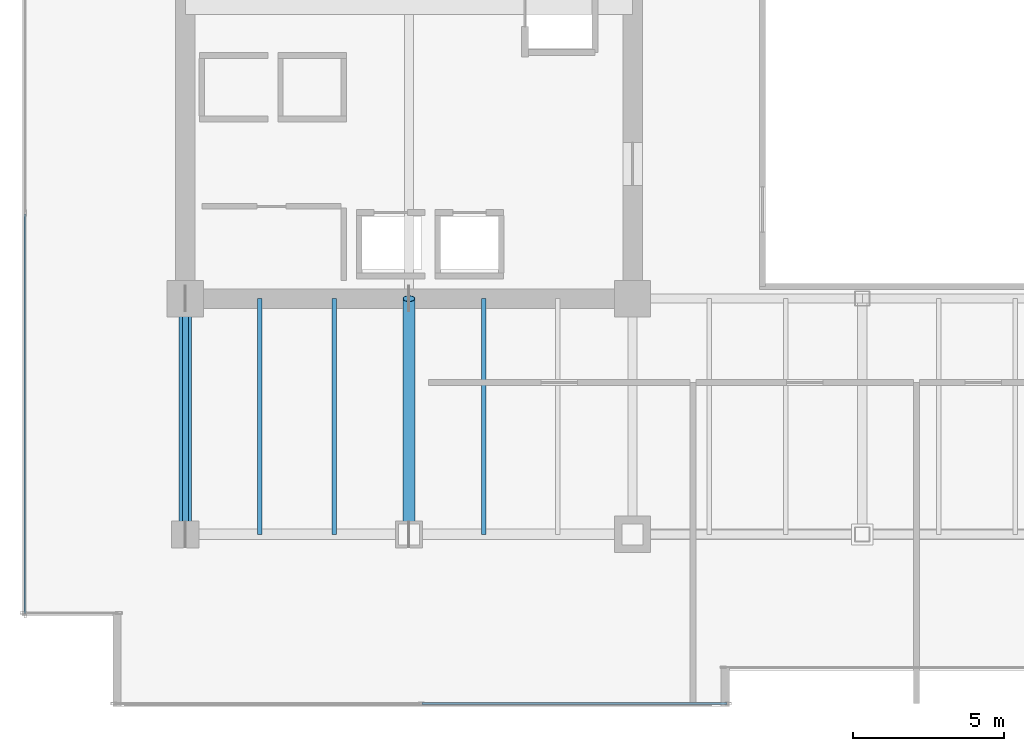
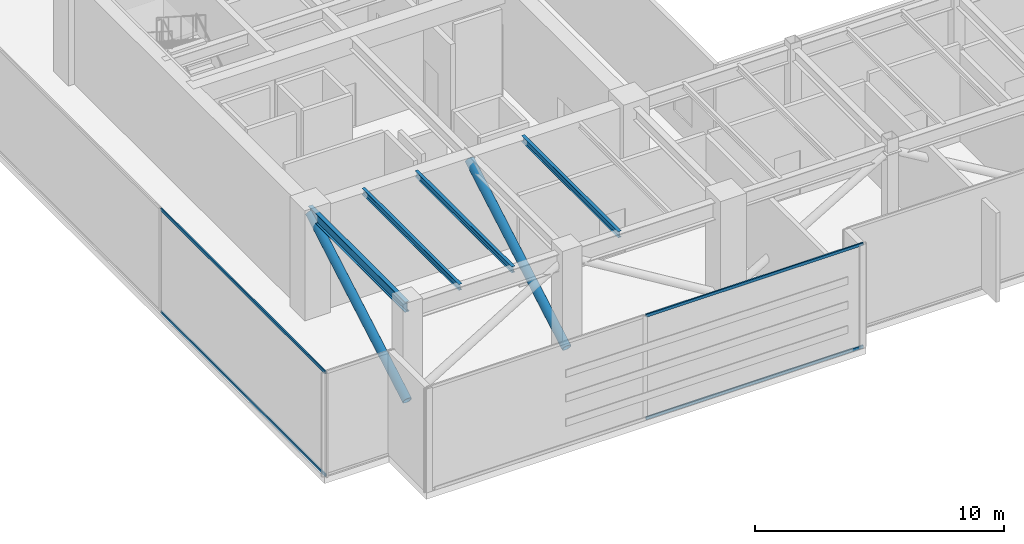
# One storey, part 3 of 34: 6 members, 4 beams, 2 elements without a shape of their own.
"""IFC4 building model written with IfcOpenShell, lengths in metres."""

import ifcopenshell
import ifcopenshell.guid

model = None  # the IFC model being written
_history = None  # IfcOwnerHistory: only IFC2X3 demands one
_inside = {}  # id of a spatial element -> (the spatial element, [elements in it])
_under = {}  # id of a project, library or spatial element -> (it, [spatial elements below it])
_declared = {}  # id of a project -> (the project, [libraries it declares])
_typed = {}  # id of a type object -> (the type object, [elements of that type])
_made_of = {}  # id of a material, layer set ... -> (it, [elements and type objects made of it])


def new_model(schema):
    """Start an empty IFC model of exactly this schema.

    Asked for "IFC4X3", IfcOpenShell would pick the latest addendum, in which some entities
    have other attributes; the version numbers below select the first issue.
    IFC2X3 requires an IfcOwnerHistory on every rooted entity: one is made here for all.
    """
    global model, _history
    if schema == "IFC4X3":
        model = ifcopenshell.file(schema_version=(4, 3, 0, 0))
    else:
        model = ifcopenshell.file(schema=schema)
    _inside.clear()
    _under.clear()
    _declared.clear()
    _typed.clear()
    _made_of.clear()
    _history = None
    if model.schema == "IFC2X3":
        org = make("IfcOrganization", Name="unknown")
        user = make(
            "IfcPersonAndOrganization",
            ThePerson=make("IfcPerson", FamilyName="unknown"),
            TheOrganization=org,
        )
        app = make(
            "IfcApplication",
            ApplicationDeveloper=org,
            Version="unknown",
            ApplicationFullName="unknown",
            ApplicationIdentifier="unknown",
        )
        _history = make(
            "IfcOwnerHistory",
            OwningUser=user,
            OwningApplication=app,
            ChangeAction="ADDED",
            CreationDate=0,
        )
    return model


def make(cls, **values):
    """One entity of the class cls with the attributes given. An attribute that is None is left unset."""
    return model.create_entity(
        cls, **{name: value for name, value in values.items() if value is not None}
    )


def rooted(cls, **values):
    """An entity with a GlobalId (a new one), such as an element, a storey or a relation."""
    return make(cls, GlobalId=ifcopenshell.guid.new(), OwnerHistory=_history, **values)


def si_unit(unit_type, name, prefix=None):
    """IfcSIUnit, for example si_unit("LENGTHUNIT", "METRE", prefix="MILLI")."""
    return make("IfcSIUnit", UnitType=unit_type, Prefix=prefix, Name=name)


def assignment(units):
    """IfcUnitAssignment: the units of a project."""
    return None if units is None else make("IfcUnitAssignment", Units=units)


def point(xyz):
    """IfcCartesianPoint."""
    return None if xyz is None else make("IfcCartesianPoint", Coordinates=xyz)


def direction(xyz):
    """IfcDirection."""
    return None if xyz is None else make("IfcDirection", DirectionRatios=xyz)


def frame(location, z_axis=None, x_axis=None):
    """IfcAxis2Placement3D, a coordinate frame: its origin and axes. An axis left out is left unset."""
    return make(
        "IfcAxis2Placement3D",
        Location=point(location),
        Axis=direction(z_axis),
        RefDirection=direction(x_axis),
    )


def frame_2d(location, x_axis=None):
    """IfcAxis2Placement2D, a coordinate frame in the plane: its origin and x axis."""
    return make(
        "IfcAxis2Placement2D", Location=point(location), RefDirection=direction(x_axis)
    )


def origin():
    """The frame at (0, 0, 0) with its axes left unset."""
    return frame((0.0, 0.0, 0.0))


def origin_2d():
    """The frame at (0, 0) in the plane with its x axis left unset."""
    return frame_2d((0.0, 0.0))


def place(relative_to, where):
    """IfcLocalPlacement: puts the frame where relative to a parent placement (None: the world)."""
    return make(
        "IfcLocalPlacement", PlacementRelTo=relative_to, RelativePlacement=where
    )


def context(
    kind, dimensions, precision=None, world=None, true_north=None, identifier=None
):
    """IfcGeometricRepresentationContext, for example the 3D "Model" context."""
    return make(
        "IfcGeometricRepresentationContext",
        ContextIdentifier=identifier,
        ContextType=kind,
        CoordinateSpaceDimension=dimensions,
        Precision=precision,
        WorldCoordinateSystem=world,
        TrueNorth=true_north,
    )


def subcontext(parent, identifier, kind, view, scale=None):
    """IfcGeometricRepresentationSubContext, for example "Body" below "Model"."""
    return make(
        "IfcGeometricRepresentationSubContext",
        ContextIdentifier=identifier,
        ContextType=kind,
        ParentContext=parent,
        TargetScale=scale,
        TargetView=view,
    )


def project(units=None, contexts=None):
    """IfcProject with its units and contexts."""
    return rooted(
        "IfcProject",
        Name="project",
        RepresentationContexts=contexts,
        UnitsInContext=assignment(units),
    )


def spatial(cls, under=None, at=None, **own):
    """A site, building, storey or space (cls), placed at a placement, below another one or the project."""
    s = rooted(cls, ObjectPlacement=at, **own)
    if under is not None:
        _under.setdefault(under.id(), (under, []))[1].append(s)
    return s


def profile(cls, at=None, kind="AREA", **sizes):
    """A parametric profile (cls). Its sizes go by their IFC names, for example OverallWidth=200.0."""
    return make(cls, ProfileType=kind, Position=at, **sizes)


def hollow_rectangle(**sizes):
    """IfcRectangleHollowProfileDef."""
    return profile("IfcRectangleHollowProfileDef", **sizes)


def hollow_circle(**sizes):
    """IfcCircleHollowProfileDef."""
    return profile("IfcCircleHollowProfileDef", **sizes)


def i_section(**sizes):
    """IfcIShapeProfileDef."""
    return profile("IfcIShapeProfileDef", **sizes)


def extrude(swept, where, along, depth):
    """IfcExtrudedAreaSolid: the profile swept, set in the frame where, extruded along a direction by depth."""
    return make(
        "IfcExtrudedAreaSolid",
        SweptArea=swept,
        Position=where,
        ExtrudedDirection=direction(along),
        Depth=depth,
    )


def shape(context_of_items, identifier, shape_type, items):
    """IfcShapeRepresentation: the items that make up one representation, for example the "Body"."""
    return make(
        "IfcShapeRepresentation",
        ContextOfItems=context_of_items,
        RepresentationIdentifier=identifier,
        RepresentationType=shape_type,
        Items=items,
    )


def source(mapping_origin, context_of_items, identifier, shape_type, items):
    """IfcRepresentationMap: a shape defined once, which mapped items show again and again."""
    return make(
        "IfcRepresentationMap",
        MappingOrigin=mapping_origin,
        MappedRepresentation=shape(context_of_items, identifier, shape_type, items),
    )


def transform(
    local_origin,
    x_axis=None,
    y_axis=None,
    z_axis=None,
    scale=None,
    scale2=None,
    scale3=None,
    uniform=True,
):
    """IfcCartesianTransformationOperator3D, or its non-uniform kind. x_axis, y_axis, z_axis: its Axis1, 2, 3."""
    if uniform:
        return make(
            "IfcCartesianTransformationOperator3D",
            Axis1=direction(x_axis),
            Axis2=direction(y_axis),
            LocalOrigin=point(local_origin),
            Scale=scale,
            Axis3=direction(z_axis),
        )
    return make(
        "IfcCartesianTransformationOperator3DnonUniform",
        Axis1=direction(x_axis),
        Axis2=direction(y_axis),
        LocalOrigin=point(local_origin),
        Scale=scale,
        Axis3=direction(z_axis),
        Scale2=scale2,
        Scale3=scale3,
    )


def mapped(mapping_source, mapping_target):
    """IfcMappedItem: shows the shape of a source again, moved by a transform."""
    return make(
        "IfcMappedItem", MappingSource=mapping_source, MappingTarget=mapping_target
    )


def material(Name=None, Category=None):
    """IfcMaterial."""
    return make("IfcMaterial", Name=Name, Category=Category)


def layer(
    of_material, thickness, ventilated=None, Name=None, Category=None, Priority=None
):
    """IfcMaterialLayer: one layer of a wall or slab, of a material (None: an air gap)."""
    return make(
        "IfcMaterialLayer",
        Material=of_material,
        LayerThickness=thickness,
        IsVentilated=ventilated,
        Name=Name,
        Category=Category,
        Priority=Priority,
    )


def layer_set(layers, Name=None):
    """IfcMaterialLayerSet."""
    return make("IfcMaterialLayerSet", MaterialLayers=layers, LayerSetName=Name)


def material_profile(
    of_material, cross_section, Name=None, Category=None, Priority=None
):
    """IfcMaterialProfile: a cross section and its material."""
    return make(
        "IfcMaterialProfile",
        Name=Name,
        Material=of_material,
        Profile=cross_section,
        Priority=Priority,
        Category=Category,
    )


def profile_set(profiles, Name=None, composite=None):
    """IfcMaterialProfileSet."""
    return make(
        "IfcMaterialProfileSet",
        Name=Name,
        MaterialProfiles=profiles,
        CompositeProfile=composite,
    )


def made_of(thing, what):
    """Note that an element or type object is made of a material, layer set ...; save() writes the relation."""
    if what is not None:
        _made_of.setdefault(what.id(), (what, []))[1].append(thing)
    return thing


def type_object(cls, material=None, **own):
    """A type object (cls), such as IfcWallType, which elements share."""
    return made_of(rooted(cls, **own), material)


def type_shapes(of_type, sources):
    """Give a type object the sources (RepresentationMaps) that its elements show as mapped items."""
    of_type.RepresentationMaps = sources


def element(
    cls,
    number,
    at=None,
    inside=None,
    cuts=None,
    type_object=None,
    material=None,
    context=None,
    identifier="Body",
    shape_type=None,
    held_by="IfcProductDefinitionShape",
    body=None,
    shapes=None,
    **own,
):
    """One element of the class cls, such as IfcWall. Its Tag is "e" and its number.

    at: its placement. inside: the storey or other place that contains it. cuts: it is an
    opening in that element (IfcRelVoidsElement). A single representation is given by context,
    identifier, shape_type and body (its items); several are given by shapes. held_by: the class
    of the entity that holds the representations. save() writes the other relations.
    """
    e = rooted(cls, Tag="e%d" % number, ObjectPlacement=at, **own)
    if body is not None:
        shapes = [shape(context, identifier, shape_type, body)]
    if shapes is not None:
        e.Representation = make(held_by, Representations=shapes)
    if inside is not None:
        _inside.setdefault(inside.id(), (inside, []))[1].append(e)
    if cuts is not None:
        rooted(
            "IfcRelVoidsElement", RelatingBuildingElement=cuts, RelatedOpeningElement=e
        )
    if type_object is not None:
        _typed.setdefault(type_object.id(), (type_object, []))[1].append(e)
    return made_of(e, material)


def aggregate(whole, parts):
    """IfcRelAggregates: a whole, such as a stair, and the parts it consists of."""
    return rooted("IfcRelAggregates", RelatingObject=whole, RelatedObjects=parts)


def save(model, path):
    """Write the relations noted so far, then the file.

    IfcRelAggregates (storeys below a building ...), IfcRelContainedInSpatialStructure (elements
    in a storey), IfcRelDefinesByType, IfcRelAssociatesMaterial and IfcRelDeclares: one each for
    every whole, place, type object, material and project.
    """
    for whole, parts in _under.values():
        aggregate(whole, parts)
    for where, things in _inside.values():
        rooted(
            "IfcRelContainedInSpatialStructure",
            RelatedElements=things,
            RelatingStructure=where,
        )
    for kind, things in _typed.values():
        rooted("IfcRelDefinesByType", RelatedObjects=things, RelatingType=kind)
    for what, things in _made_of.values():
        rooted("IfcRelAssociatesMaterial", RelatedObjects=things, RelatingMaterial=what)
    for by, libraries in _declared.values():
        rooted("IfcRelDeclares", RelatingContext=by, RelatedDefinitions=libraries)
    model.write(path)


model = new_model("IFC4")

# Units and contexts
model_context = context("Model", 3, precision=1e-05, world=origin(), true_north=direction((0.0, 1.0)))
body_context = subcontext(model_context, "Body", "Model", "MODEL_VIEW")
ifc_project = project(units=[si_unit("LENGTHUNIT", "METRE"), si_unit("AREAUNIT", "SQUARE_METRE"), si_unit("VOLUMEUNIT", "CUBIC_METRE"), si_unit("PLANEANGLEUNIT", "RADIAN"), si_unit("MASSUNIT", "GRAM", prefix="KILO")], contexts=[model_context])

# Site, building, storey
site_placement = place(None, origin())
site = spatial("IfcSite", under=ifc_project, at=site_placement, CompositionType="ELEMENT")
building_placement = place(site_placement, origin())
building = spatial("IfcBuilding", under=site, at=building_placement, Name="Haelvirn Gate Laboratories", CompositionType="ELEMENT")
storey_placement = place(building_placement, frame((0.0, 0.0, 191.199951171875)))
storey = spatial("IfcBuildingStorey", under=building, at=storey_placement, Name="L46", CompositionType="ELEMENT", Elevation=191.199951171875)

# Beams
ifc_material_1 = material(Name="Steel SM355", Category="steel")
ifc_material_profile_1 = material_profile(ifc_material_1, i_section(OverallWidth=0.199951171875, OverallDepth=0.5, WebThickness=0.010009765625, FlangeThickness=0.01611328125, at=origin_2d()), Name="H-500x200x10x16")
ifc_profile_set_1 = profile_set([ifc_material_profile_1], Name="Steel SM355")
beam_type_1 = type_object("IfcBeamType", Name="BM-SP-500", PredefinedType="SPANDREL", material=ifc_profile_set_1)
shared_shape_1 = source(origin(), body_context, "Body", "SweptSolid", [
    extrude(i_section(OverallWidth=0.199951171875, OverallDepth=0.5, WebThickness=0.010009765625, FlangeThickness=0.01611328125, at=origin_2d()), origin(), (0.0, 0.0, 1.0), 7.800048828125),
])
type_shapes(beam_type_1, [shared_shape_1])
beam_placement = place(storey_placement, frame((7.39990234375, 7.0, 4.85009765625), z_axis=(0.0, 1.0, 0.0), x_axis=(-1.0, 0.0, 0.0)))
element("IfcBeam", 1, at=beam_placement, inside=storey, type_object=beam_type_1, Name="L46 Perimeter Spandrel X7.4 (7.0-14.8)", PredefinedType="SPANDREL", context=body_context, shape_type="MappedRepresentation", body=[
    mapped(shared_shape_1, transform((0.0, 0.0, 0.0), scale=1.0)),
])
ifc_material_profile_2 = material_profile(ifc_material_1, i_section(OverallWidth=0.14990234375, OverallDepth=0.300048828125, WebThickness=0.006591796875, FlangeThickness=0.009033203125, at=origin_2d()), Name="H-300x150x6.5x9")
ifc_profile_set_2 = profile_set([ifc_material_profile_2], Name="Steel SM355")
beam_type_2 = type_object("IfcBeamType", Name="BM-J-300", PredefinedType="JOIST", material=ifc_profile_set_2)
shared_shape_2 = source(origin(), body_context, "Body", "SweptSolid", [
    extrude(i_section(OverallWidth=0.14990234375, OverallDepth=0.300048828125, WebThickness=0.006591796875, FlangeThickness=0.009033203125, at=origin_2d()), origin(), (0.0, 0.0, 1.0), 7.800048828125),
])
type_shapes(beam_type_2, [shared_shape_2])
for number, where, z_axis, x_axis, name in (
    (2, (9.8701171875, 7.0, 4.949951171875), (0.0, 1.0, 0.0), (-1.0, 0.0, 0.0), "L46 Composite Lab Joist South X9.87"),
    (3, (12.330078125, 7.0, 4.949951171875), (0.0, 1.0, 0.0), (-1.0, 0.0, 0.0), "L46 Composite Lab Joist South X12.33"),
    (4, (17.27001953125, 7.0, 4.949951171875), (0.0, 1.0, 0.0), (-1.0, 0.0, 0.0), "L46 Composite Lab Joist South X17.27"),
):
    element("IfcBeam", number, at=place(storey_placement, frame(where, z_axis=z_axis, x_axis=x_axis)), inside=storey, type_object=beam_type_2, Name=name, PredefinedType="JOIST", context=body_context, shape_type="MappedRepresentation", body=[
        mapped(shared_shape_2, transform((0.0, 0.0, 0.0), scale=1.0)),
    ])

# Members
ifc_material_2 = material(Name="Steel SM420", Category="steel")
ifc_material_profile_3 = material_profile(ifc_material_2, hollow_circle(Radius=0.203125, WallThickness=0.01611328125, at=origin_2d()), Name="CHS-406x16")
ifc_profile_set_3 = profile_set([ifc_material_profile_3], Name="Steel SM420")
member_type_1 = type_object("IfcMemberType", Name="MEM-OUTRIG-2", PredefinedType="BRACE", material=ifc_profile_set_3)
shared_shape_3 = source(origin(), body_context, "Body", "SweptSolid", [
    extrude(hollow_circle(Radius=0.203125, WallThickness=0.01611328125, at=origin_2d()), origin(), (0.0, 0.0, 1.0), 9.005126953125),
])
type_shapes(member_type_1, [shared_shape_3])
for number, where, z_axis, x_axis, name in (
    (5, (7.39990234375, 14.800048828125, 4.75), (0.0, -0.866186940118, -0.499720106428), (1.0, 0.0, 0.0), "L46 Outrigger Truss Arm WS1"),
    (6, (14.800048828125, 14.800048828125, 4.75), (0.0, -0.866186940118, -0.499720106428), (1.0, 0.0, 0.0), "L46 Outrigger Truss Arm WS2"),
):
    element("IfcMember", number, at=place(storey_placement, frame(where, z_axis=z_axis, x_axis=x_axis)), inside=storey, type_object=member_type_1, Name=name, PredefinedType="BRACE", context=body_context, shape_type="MappedRepresentation", body=[
        mapped(shared_shape_3, transform((0.0, 0.0, 0.0), scale=1.0)),
    ])

# Curtain wall, members
ifc_material_3 = material(Name="Anodised bronze unitised aluminium & triple low-E glass", Category="aluminium")
ifc_layer = layer(ifc_material_3, 0.179931640625, Name="CW-SYS-3")
ifc_layer_set = layer_set([ifc_layer], Name="Anodised bronze unitised aluminium & triple low-E glass")
curtain_wall_type = type_object("IfcCurtainWallType", Name="CW-SYS-3", PredefinedType="NOTDEFINED", material=ifc_layer_set)
curtain_wall_1_placement = place(storey_placement, origin())
curtain_wall_1 = element("IfcCurtainWall", 7, at=curtain_wall_1_placement, inside=storey, type_object=curtain_wall_type, Name="L46 Unitised Curtain Wall CW-L46-P0-E00-1", PredefinedType="NOTDEFINED")
ifc_material_4 = material(Name="Extruded aluminium 6063-T6 (anodised bronze)", Category="aluminium")
ifc_material_profile_4 = material_profile(ifc_material_4, hollow_rectangle(XDim=0.06494140625, YDim=0.139892578125, WallThickness=0.00390625, at=origin_2d()), Name="CWT-140x65x4")
ifc_profile_set_4 = profile_set([ifc_material_profile_4], Name="Extruded aluminium 6063-T6 (anodised bronze)")
member_type_2 = type_object("IfcMemberType", Name="CWT-T140", PredefinedType="USERDEFINED", material=ifc_profile_set_4)
shared_shape_4 = source(origin(), body_context, "Body", "SweptSolid", [
    extrude(hollow_rectangle(XDim=0.06494140625, YDim=0.139892578125, WallThickness=0.00390625, at=origin_2d()), origin(), (0.0, 0.0, 1.0), 10.08740234375),
])
member_1_placement = place(storey_placement, frame((15.237548828125, 1.39990234375, 0.032470703125), z_axis=(1.0, 0.0, 0.0), x_axis=(0.0, 1.0, 0.0)))
member_1 = element("IfcMember", 8, at=member_1_placement, type_object=member_type_2, Name="CW3 transom 2.1", ObjectType="TRANSOM", PredefinedType="USERDEFINED", context=body_context, shape_type="MappedRepresentation", body=[
    mapped(shared_shape_4, transform((0.0, 0.0, 0.0), scale=1.0)),
])
member_2_placement = place(storey_placement, frame((15.237548828125, 1.39990234375, 5.067626953125), z_axis=(1.0, 0.0, 0.0), x_axis=(0.0, 1.0, 0.0)))
member_2 = element("IfcMember", 9, at=member_2_placement, type_object=member_type_2, Name="CW3 transom 2.2", ObjectType="TRANSOM", PredefinedType="USERDEFINED", context=body_context, shape_type="MappedRepresentation", body=[
    mapped(shared_shape_4, transform((0.0, 0.0, 0.0), scale=1.0)),
])
aggregate(curtain_wall_1, [member_1, member_2])

curtain_wall_2_placement = place(storey_placement, origin())
curtain_wall_2 = element("IfcCurtainWall", 10, at=curtain_wall_2_placement, inside=storey, type_object=curtain_wall_type, Name="L46 Unitised Curtain Wall CW-L46-P0-E17", PredefinedType="NOTDEFINED")
shared_shape_5 = source(origin(), body_context, "Body", "SweptSolid", [
    extrude(hollow_rectangle(XDim=0.06494140625, YDim=0.139892578125, WallThickness=0.00390625, at=origin_2d()), origin(), (0.0, 0.0, 1.0), 13.220947265625),
])
type_shapes(member_type_2, [shared_shape_4, shared_shape_5])
member_3_placement = place(storey_placement, frame((2.10009765625, 17.595947265625, 0.032470703125), z_axis=(0.0, -1.0, 0.0), x_axis=(1.0, 0.0, 0.0)))
member_3 = element("IfcMember", 11, at=member_3_placement, type_object=member_type_2, Name="CW3 transom 3.1", ObjectType="TRANSOM", PredefinedType="USERDEFINED", context=body_context, shape_type="MappedRepresentation", body=[
    mapped(shared_shape_5, transform((0.0, 0.0, 0.0), scale=1.0)),
])
member_4_placement = place(storey_placement, frame((2.10009765625, 17.595947265625, 5.067626953125), z_axis=(0.0, -1.0, 0.0), x_axis=(1.0, 0.0, 0.0)))
member_4 = element("IfcMember", 12, at=member_4_placement, type_object=member_type_2, Name="CW3 transom 3.2", ObjectType="TRANSOM", PredefinedType="USERDEFINED", context=body_context, shape_type="MappedRepresentation", body=[
    mapped(shared_shape_5, transform((0.0, 0.0, 0.0), scale=1.0)),
])
aggregate(curtain_wall_2, [member_3, member_4])

save(model, "model.ifc")
